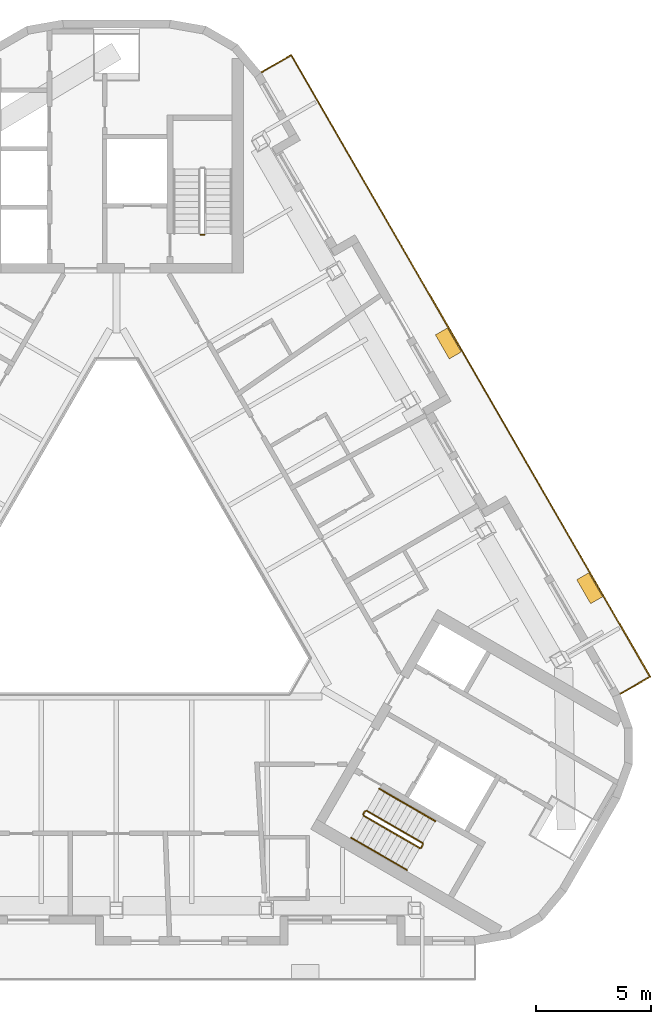
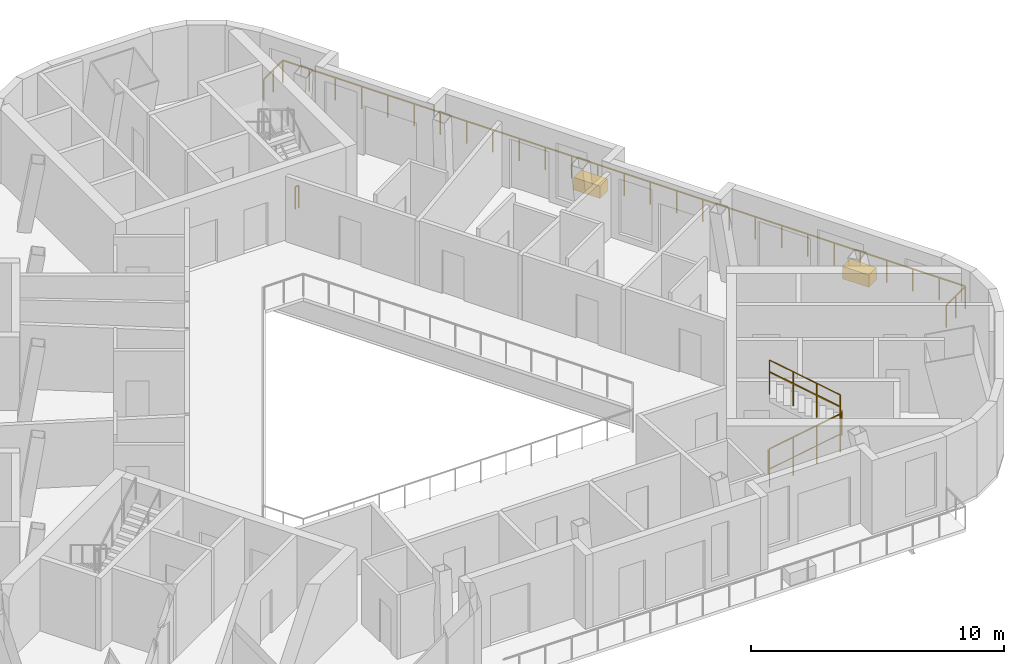
# One storey, part 10 of 11: 8 railings, 2 coverings.
"""IFC4 building model written with IfcOpenShell, lengths in metres."""

from ifc_helpers import new_model, si_unit, direction, frame, origin, origin_2d, place, context, subcontext, project, spatial, rectangle, circle, extrude, material, type_object, element, save


model = new_model("IFC4")

# Units and contexts
model_context = context("Model", 3, precision=1e-05, world=origin(), true_north=direction((0.0, 1.0)))
body_context = subcontext(model_context, "Body", "Model", "MODEL_VIEW")
ifc_project = project(units=[si_unit("LENGTHUNIT", "METRE"), si_unit("AREAUNIT", "SQUARE_METRE"), si_unit("VOLUMEUNIT", "CUBIC_METRE"), si_unit("PLANEANGLEUNIT", "RADIAN"), si_unit("MASSUNIT", "GRAM", prefix="KILO")], contexts=[model_context])

# Site, building, storey
site_placement = place(None, origin())
site = spatial("IfcSite", under=ifc_project, at=site_placement, CompositionType="ELEMENT")
building_placement = place(site_placement, origin())
building = spatial("IfcBuilding", under=site, at=building_placement, Name="Apuvela Tower Hotel", CompositionType="ELEMENT")
storey_placement = place(building_placement, frame((0.0, 0.0, 320.699951171875)))
storey = spatial("IfcBuildingStorey", under=building, at=storey_placement, Name="L80", CompositionType="ELEMENT", Elevation=320.699951171875)

# Railings
ifc_material_1 = material(Name="Steel S275 balustrade", Category="steel")
railing_type_1 = type_object("IfcRailingType", Name="COR-GUARD-1100", PredefinedType="GUARDRAIL", material=ifc_material_1)
railing_1_placement = place(storey_placement, frame((3.800048828125, 14.550048828125, 0.0)))
element("IfcRailing", 1, at=railing_1_placement, inside=storey, type_object=railing_type_1, Name="L80 ST1 stair guard 4", PredefinedType="GUARDRAIL", context=body_context, shape_type="SweptSolid", body=[
    extrude(rectangle(XDim=0.048095703125, YDim=0.048095703125, at=origin_2d()), frame((0.0, 0.0, 1.076171875), z_axis=(-1.0, 0.0, 0.0), x_axis=(0.0, -1.0, 0.0)), (0.0, 0.0, 1.0), 0.150146484375),
    extrude(rectangle(XDim=0.0419921875, YDim=0.0419921875, at=origin_2d()), origin(), (0.0, 0.0, 1.0), 1.052001953125),
    extrude(rectangle(XDim=0.0419921875, YDim=0.0419921875, at=origin_2d()), frame((-0.150146484375, 0.0, 0.0)), (0.0, 0.0, 1.0), 1.052001953125),
])
railing_2_placement = place(storey_placement, frame((10.718994140625, -10.63427734375, 0.168212890625)))
element("IfcRailing", 2, at=railing_2_placement, inside=storey, type_object=railing_type_1, Name="L80 ST3 stair guard 1", PredefinedType="GUARDRAIL", context=body_context, shape_type="SweptSolid", body=[
    extrude(rectangle(XDim=0.048095703125, YDim=0.048095703125, at=origin_2d()), frame((0.0, 0.0, 1.076171875), z_axis=(0.742390482028, -0.42860119049, 0.514934356695), x_axis=(0.49998411664, 0.866034573852, 0.0)), (0.0, 0.0, 1.0), 3.26611328125),
    extrude(rectangle(XDim=0.0419921875, YDim=0.0419921875, at=origin_2d()), origin(), (0.0, 0.0, 1.0), 1.052001953125),
    extrude(rectangle(XDim=0.0419921875, YDim=0.0419921875, at=origin_2d()), frame((0.808349609375, -0.466552734375, 0.560546875)), (0.0, 0.0, 1.0), 1.052001953125),
    extrude(rectangle(XDim=0.0419921875, YDim=0.0419921875, at=origin_2d()), frame((1.616455078125, -0.933349609375, 1.121337890625)), (0.0, 0.0, 1.0), 1.052001953125),
    extrude(rectangle(XDim=0.0419921875, YDim=0.0419921875, at=origin_2d()), frame((2.4248046875, -1.39990234375, 1.681884765625)), (0.0, 0.0, 1.0), 1.052001953125),
])
railing_3_placement = place(storey_placement, frame((13.212158203125, -12.015869140625, 1.85009765625)))
element("IfcRailing", 3, at=railing_3_placement, inside=storey, type_object=railing_type_1, Name="L80 ST3 stair guard 2", PredefinedType="GUARDRAIL", context=body_context, shape_type="SweptSolid", body=[
    extrude(rectangle(XDim=0.048095703125, YDim=0.048095703125, at=origin_2d()), frame((0.0, 0.0, 1.076171875), z_axis=(0.499816412211, 0.866131372301, 0.0), x_axis=(-0.866131372301, 0.499816412211, 0.0)), (0.0, 0.0, 1.0), 0.14990234375),
    extrude(rectangle(XDim=0.0419921875, YDim=0.0419921875, at=origin_2d()), origin(), (0.0, 0.0, 1.0), 1.052001953125),
    extrude(rectangle(XDim=0.0419921875, YDim=0.0419921875, at=origin_2d()), frame((0.074951171875, 0.1298828125, 0.0)), (0.0, 0.0, 1.0), 1.052001953125),
])
railing_4_placement = place(storey_placement, frame((13.268798828125, -11.817626953125, 2.018310546875)))
element("IfcRailing", 4, at=railing_4_placement, inside=storey, type_object=railing_type_1, Name="L80 ST3 stair guard 3", PredefinedType="GUARDRAIL", context=body_context, shape_type="SweptSolid", body=[
    extrude(rectangle(XDim=0.048095703125, YDim=0.048095703125, at=origin_2d()), frame((0.0, 0.0, 1.076171875), z_axis=(-0.74241905619, 0.428617687091, 0.514879426), x_axis=(-0.49998411664, -0.866034573852, 0.0)), (0.0, 0.0, 1.0), 3.26611328125),
    extrude(rectangle(XDim=0.0419921875, YDim=0.0419921875, at=origin_2d()), origin(), (0.0, 0.0, 1.0), 1.052001953125),
    extrude(rectangle(XDim=0.0419921875, YDim=0.0419921875, at=origin_2d()), frame((-0.808349609375, 0.466552734375, 0.560546875)), (0.0, 0.0, 1.0), 1.052001953125),
    extrude(rectangle(XDim=0.0419921875, YDim=0.0419921875, at=origin_2d()), frame((-1.616455078125, 0.933349609375, 1.12109375)), (0.0, 0.0, 1.0), 1.052001953125),
    extrude(rectangle(XDim=0.0419921875, YDim=0.0419921875, at=origin_2d()), frame((-2.4248046875, 1.39990234375, 1.681640625)), (0.0, 0.0, 1.0), 1.052001953125),
])
railing_5_placement = place(storey_placement, frame((10.70068359375, -10.56591796875, 0.0)))
element("IfcRailing", 5, at=railing_5_placement, inside=storey, type_object=railing_type_1, Name="L80 ST3 stair guard 4", PredefinedType="GUARDRAIL", context=body_context, shape_type="SweptSolid", body=[
    extrude(rectangle(XDim=0.048095703125, YDim=0.048095703125, at=origin_2d()), frame((0.0, 0.0, 1.076171875), z_axis=(0.499816412211, 0.866131372301, 0.0), x_axis=(-0.866131372301, 0.499816412211, 0.0)), (0.0, 0.0, 1.0), 0.14990234375),
    extrude(rectangle(XDim=0.0419921875, YDim=0.0419921875, at=origin_2d()), origin(), (0.0, 0.0, 1.0), 1.052001953125),
    extrude(rectangle(XDim=0.0419921875, YDim=0.0419921875, at=origin_2d()), frame((0.074951171875, 0.1298828125, 0.0)), (0.0, 0.0, 1.0), 1.052001953125),
])
ifc_material_2 = material(Name="Stainless steel 316 handrail", Category="steel")
railing_type_2 = type_object("IfcRailingType", Name="COR-HANDRAIL-900", PredefinedType="HANDRAIL", material=ifc_material_2)
railing_6_placement = place(storey_placement, frame((10.1689453125, -11.5869140625, 0.168212890625)))
element("IfcRailing", 6, at=railing_6_placement, inside=storey, type_object=railing_type_2, Name="L80 ST3 stair handrail 1", PredefinedType="HANDRAIL", context=body_context, shape_type="SweptSolid", body=[
    extrude(circle(Radius=0.02392578125, at=origin_2d()), frame((0.0, 0.0, 0.8759765625), z_axis=(0.742390482028, -0.42860119049, 0.514934356695), x_axis=(0.49998411664, 0.866034573852, 0.0)), (0.0, 0.0, 1.0), 3.26611328125),
    extrude(rectangle(XDim=0.0419921875, YDim=0.0419921875, at=origin_2d()), origin(), (0.0, 0.0, 1.0), 0.851806640625),
    extrude(rectangle(XDim=0.0419921875, YDim=0.0419921875, at=origin_2d()), frame((0.808349609375, -0.466552734375, 0.560546875)), (0.0, 0.0, 1.0), 0.851806640625),
    extrude(rectangle(XDim=0.0419921875, YDim=0.0419921875, at=origin_2d()), frame((1.616455078125, -0.933349609375, 1.121337890625)), (0.0, 0.0, 1.0), 0.851806640625),
    extrude(rectangle(XDim=0.0419921875, YDim=0.0419921875, at=origin_2d()), frame((2.4248046875, -1.39990234375, 1.681884765625)), (0.0, 0.0, 1.0), 0.851806640625),
])
railing_7_placement = place(storey_placement, frame((13.81884765625, -10.864990234375, 2.018310546875)))
element("IfcRailing", 7, at=railing_7_placement, inside=storey, type_object=railing_type_2, Name="L80 ST3 stair handrail 2", PredefinedType="HANDRAIL", context=body_context, shape_type="SweptSolid", body=[
    extrude(circle(Radius=0.02392578125, at=origin_2d()), frame((0.0, 0.0, 0.8759765625), z_axis=(-0.74241905619, 0.428617687091, 0.514879426), x_axis=(-0.49998411664, -0.866034573852, 0.0)), (0.0, 0.0, 1.0), 3.26611328125),
    extrude(rectangle(XDim=0.0419921875, YDim=0.0419921875, at=origin_2d()), origin(), (0.0, 0.0, 1.0), 0.851806640625),
    extrude(rectangle(XDim=0.0419921875, YDim=0.0419921875, at=origin_2d()), frame((-0.808349609375, 0.466552734375, 0.560546875)), (0.0, 0.0, 1.0), 0.851806640625),
    extrude(rectangle(XDim=0.0419921875, YDim=0.0419921875, at=origin_2d()), frame((-1.616455078125, 0.933349609375, 1.12109375)), (0.0, 0.0, 1.0), 0.851806640625),
    extrude(rectangle(XDim=0.0419921875, YDim=0.0419921875, at=origin_2d()), frame((-2.4248046875, 1.39990234375, 1.681640625)), (0.0, 0.0, 1.0), 0.851806640625),
])
ifc_material_3 = material(Name="Stainless steel 316 rail with laminated glass infill", Category="steel")
railing_type_3 = type_object("IfcRailingType", Name="ENV-GUARD-1100", PredefinedType="GUARDRAIL", material=ifc_material_3)
railing_8_placement = place(storey_placement, frame((21.83056640625, -5.356689453125, 0.0)))
element("IfcRailing", 8, at=railing_8_placement, inside=storey, type_object=railing_type_3, Name="Balcony guard NE L80", PredefinedType="GUARDRAIL", context=body_context, shape_type="SweptSolid", body=[
    extrude(rectangle(XDim=0.050048828125, YDim=0.050048828125, at=origin_2d()), frame((0.0, 0.0, 1.0751953125), z_axis=(0.866031096941, 0.499990139034, 0.0), x_axis=(-0.499990139034, 0.866031096941, 0.0)), (0.0, 0.0, 1.0), 1.5),
    extrude(rectangle(XDim=0.050048828125, YDim=0.050048828125, at=origin_2d()), frame((1.299072265625, 0.75, 1.0751953125), z_axis=(-0.500002341412, 0.866024051966, 0.0), x_axis=(-0.866024051966, -0.500002341412, 0.0)), (0.0, 0.0, 1.0), 31.108642578125),
    extrude(rectangle(XDim=0.050048828125, YDim=0.050048828125, at=origin_2d()), frame((-14.25537109375, 27.69091796875, 1.0751953125), z_axis=(-0.866031096941, -0.499990139034, 0.0), x_axis=(0.499990139034, -0.866031096941, 0.0)), (0.0, 0.0, 1.0), 1.5),
    extrude(rectangle(XDim=0.0400390625, YDim=0.0400390625, at=origin_2d()), origin(), (0.0, 0.0, 1.0), 1.050048828125),
    extrude(rectangle(XDim=0.0400390625, YDim=0.0400390625, at=origin_2d()), frame((0.6494140625, 0.375, 0.0)), (0.0, 0.0, 1.0), 1.050048828125),
    extrude(rectangle(XDim=0.0400390625, YDim=0.0400390625, at=origin_2d()), frame((1.299072265625, 0.75, 0.0)), (0.0, 0.0, 1.0), 1.050048828125),
    extrude(rectangle(XDim=0.0400390625, YDim=0.0400390625, at=origin_2d()), frame((0.700927734375, 1.7861328125, 0.0)), (0.0, 0.0, 1.0), 1.050048828125),
    extrude(rectangle(XDim=0.0400390625, YDim=0.0400390625, at=origin_2d()), frame((0.1025390625, 2.822265625, 0.0)), (0.0, 0.0, 1.0), 1.050048828125),
    extrude(rectangle(XDim=0.0400390625, YDim=0.0400390625, at=origin_2d()), frame((-0.49560546875, 3.858642578125, 0.0)), (0.0, 0.0, 1.0), 1.050048828125),
    extrude(rectangle(XDim=0.0400390625, YDim=0.0400390625, at=origin_2d()), frame((-1.093994140625, 4.894775390625, 0.0)), (0.0, 0.0, 1.0), 1.050048828125),
    extrude(rectangle(XDim=0.0400390625, YDim=0.0400390625, at=origin_2d()), frame((-1.692138671875, 5.930908203125, 0.0)), (0.0, 0.0, 1.0), 1.050048828125),
    extrude(rectangle(XDim=0.0400390625, YDim=0.0400390625, at=origin_2d()), frame((-2.29052734375, 6.967041015625, 0.0)), (0.0, 0.0, 1.0), 1.050048828125),
    extrude(rectangle(XDim=0.0400390625, YDim=0.0400390625, at=origin_2d()), frame((-2.888671875, 8.00341796875, 0.0)), (0.0, 0.0, 1.0), 1.050048828125),
    extrude(rectangle(XDim=0.0400390625, YDim=0.0400390625, at=origin_2d()), frame((-3.48681640625, 9.03955078125, 0.0)), (0.0, 0.0, 1.0), 1.050048828125),
    extrude(rectangle(XDim=0.0400390625, YDim=0.0400390625, at=origin_2d()), frame((-4.085205078125, 10.07568359375, 0.0)), (0.0, 0.0, 1.0), 1.050048828125),
    extrude(rectangle(XDim=0.0400390625, YDim=0.0400390625, at=origin_2d()), frame((-4.683349609375, 11.11181640625, 0.0)), (0.0, 0.0, 1.0), 1.050048828125),
    extrude(rectangle(XDim=0.0400390625, YDim=0.0400390625, at=origin_2d()), frame((-5.28173828125, 12.148193359375, 0.0)), (0.0, 0.0, 1.0), 1.050048828125),
    extrude(rectangle(XDim=0.0400390625, YDim=0.0400390625, at=origin_2d()), frame((-5.8798828125, 13.184326171875, 0.0)), (0.0, 0.0, 1.0), 1.050048828125),
    extrude(rectangle(XDim=0.0400390625, YDim=0.0400390625, at=origin_2d()), frame((-6.47802734375, 14.220458984375, 0.0)), (0.0, 0.0, 1.0), 1.050048828125),
    extrude(rectangle(XDim=0.0400390625, YDim=0.0400390625, at=origin_2d()), frame((-7.076416015625, 15.256591796875, 0.0)), (0.0, 0.0, 1.0), 1.050048828125),
    extrude(rectangle(XDim=0.0400390625, YDim=0.0400390625, at=origin_2d()), frame((-7.674560546875, 16.292724609375, 0.0)), (0.0, 0.0, 1.0), 1.050048828125),
    extrude(rectangle(XDim=0.0400390625, YDim=0.0400390625, at=origin_2d()), frame((-8.27294921875, 17.3291015625, 0.0)), (0.0, 0.0, 1.0), 1.050048828125),
    extrude(rectangle(XDim=0.0400390625, YDim=0.0400390625, at=origin_2d()), frame((-8.87109375, 18.365234375, 0.0)), (0.0, 0.0, 1.0), 1.050048828125),
    extrude(rectangle(XDim=0.0400390625, YDim=0.0400390625, at=origin_2d()), frame((-9.469482421875, 19.4013671875, 0.0)), (0.0, 0.0, 1.0), 1.050048828125),
    extrude(rectangle(XDim=0.0400390625, YDim=0.0400390625, at=origin_2d()), frame((-10.067626953125, 20.4375, 0.0)), (0.0, 0.0, 1.0), 1.050048828125),
    extrude(rectangle(XDim=0.0400390625, YDim=0.0400390625, at=origin_2d()), frame((-10.665771484375, 21.473876953125, 0.0)), (0.0, 0.0, 1.0), 1.050048828125),
    extrude(rectangle(XDim=0.0400390625, YDim=0.0400390625, at=origin_2d()), frame((-11.26416015625, 22.510009765625, 0.0)), (0.0, 0.0, 1.0), 1.050048828125),
    extrude(rectangle(XDim=0.0400390625, YDim=0.0400390625, at=origin_2d()), frame((-11.8623046875, 23.546142578125, 0.0)), (0.0, 0.0, 1.0), 1.050048828125),
    extrude(rectangle(XDim=0.0400390625, YDim=0.0400390625, at=origin_2d()), frame((-12.460693359375, 24.582275390625, 0.0)), (0.0, 0.0, 1.0), 1.050048828125),
    extrude(rectangle(XDim=0.0400390625, YDim=0.0400390625, at=origin_2d()), frame((-13.058837890625, 25.61865234375, 0.0)), (0.0, 0.0, 1.0), 1.050048828125),
    extrude(rectangle(XDim=0.0400390625, YDim=0.0400390625, at=origin_2d()), frame((-13.6572265625, 26.65478515625, 0.0)), (0.0, 0.0, 1.0), 1.050048828125),
    extrude(rectangle(XDim=0.0400390625, YDim=0.0400390625, at=origin_2d()), frame((-14.25537109375, 27.69091796875, 0.0)), (0.0, 0.0, 1.0), 1.050048828125),
    extrude(rectangle(XDim=0.0400390625, YDim=0.0400390625, at=origin_2d()), frame((-14.90478515625, 27.31591796875, 0.0)), (0.0, 0.0, 1.0), 1.050048828125),
    extrude(rectangle(XDim=0.0400390625, YDim=0.0400390625, at=origin_2d()), frame((-15.554443359375, 26.94091796875, 0.0)), (0.0, 0.0, 1.0), 1.050048828125),
])

# Coverings
ifc_material_4 = material(Name="Planting substrate and soil, planted")
covering_type = type_object("IfcCoveringType", Name="ENV-PLANTER-1200x600", PredefinedType="USERDEFINED", material=ifc_material_4)
for number, where, z_axis, x_axis, name in (
    (9, (20.51171875, -0.772705078125, 0.0), (0.0, 0.0, 1.0), (-0.5, 0.866025403784, 0.0), "Planter NE3"),
    (10, (14.38525390625, 9.8388671875, 0.0), (0.0, 0.0, 1.0), (-0.5, 0.866025403784, 0.0), "Planter NE4"),
):
    element("IfcCovering", number, at=place(storey_placement, frame(where, z_axis=z_axis, x_axis=x_axis)), inside=storey, type_object=covering_type, Name=name, ObjectType="PLANTER", PredefinedType="USERDEFINED", context=body_context, shape_type="SweptSolid", body=[
        extrude(rectangle(XDim=1.199951171875, YDim=0.60009765625, at=origin_2d()), origin(), (0.0, 0.0, 1.0), 0.60009765625),
    ])

save(model, "model.ifc")
